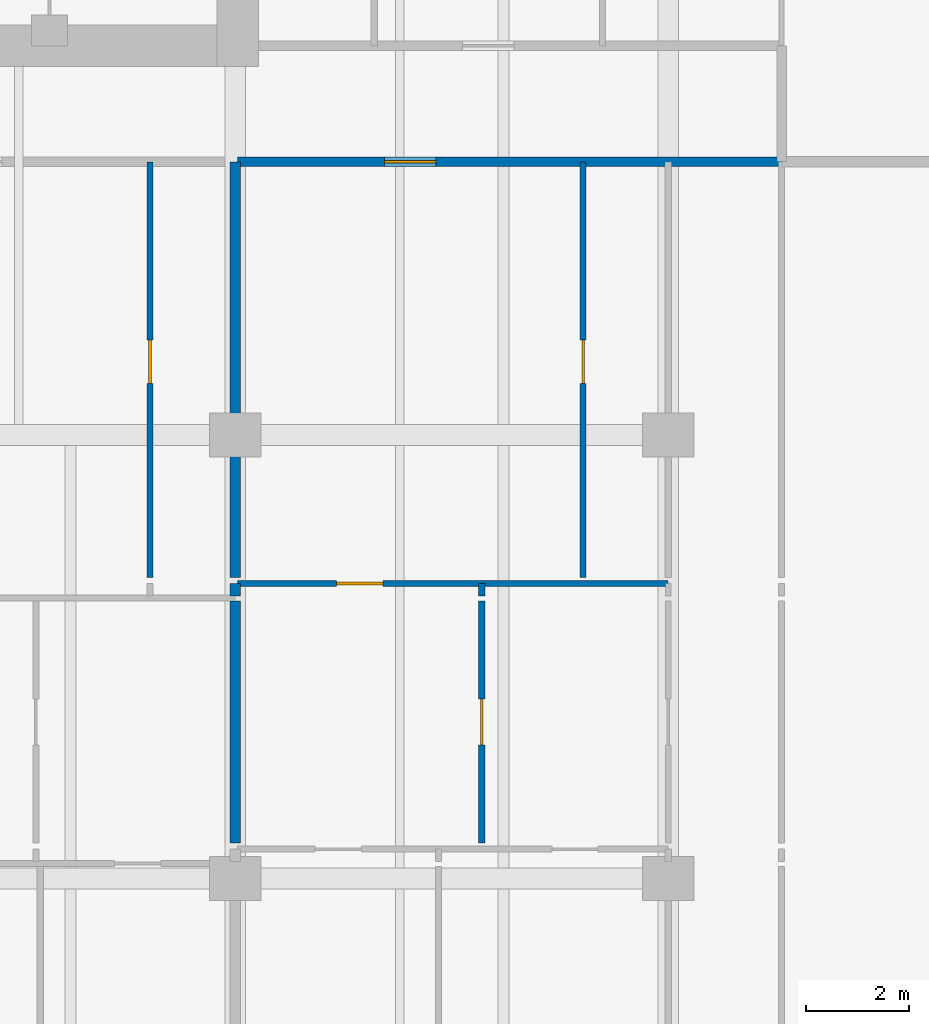
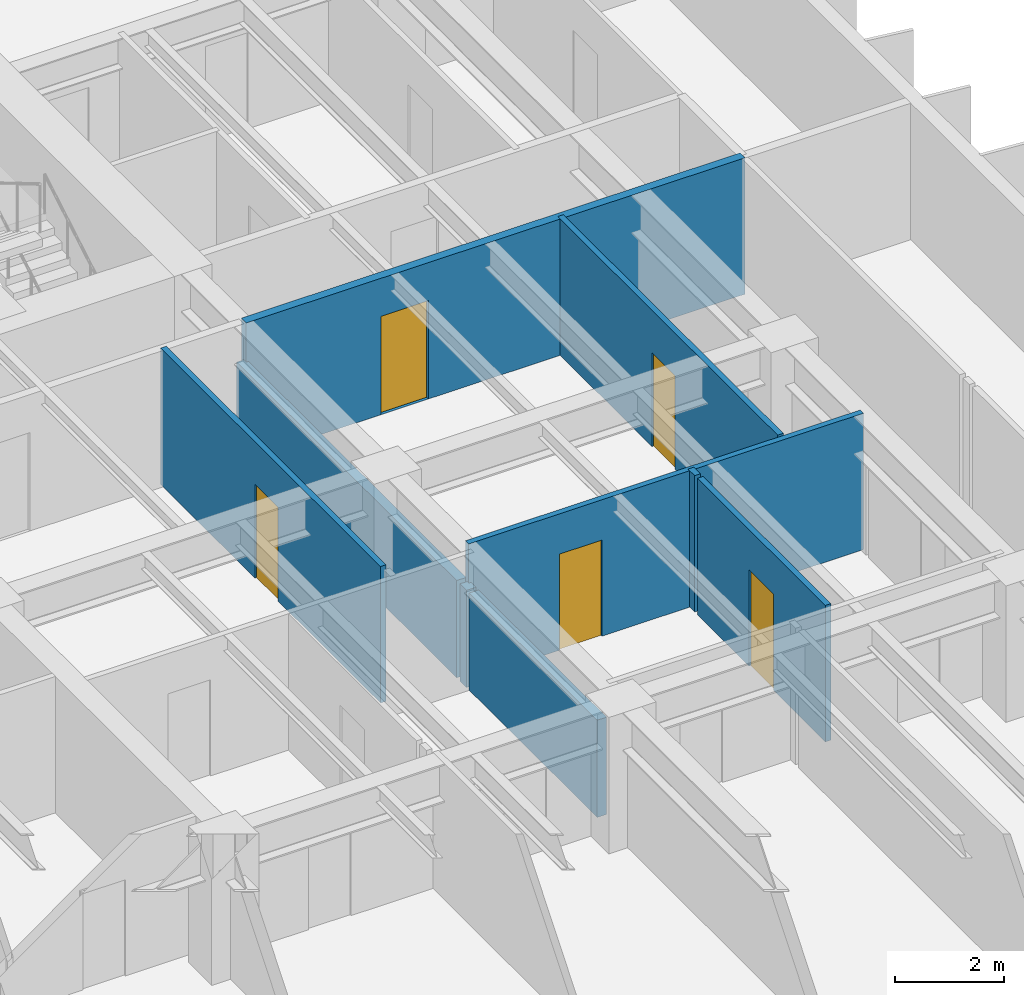
# One storey, part 10 of 18: 9 walls, 5 doors, 5 openings.
"""IFC4 building model written with IfcOpenShell, lengths in metres."""

from ifc_helpers import new_model, si_unit, direction, frame, frame_2d, origin, place, context, subcontext, project, spatial, rectangle, extrude, material, layer, layer_set, type_object, element, fill, save


model = new_model("IFC4")

# Units and contexts
model_context = context("Model", 3, precision=1e-05, world=origin(), true_north=direction((0.0, 1.0)))
body_context = subcontext(model_context, "Body", "Model", "MODEL_VIEW")
ifc_project = project(units=[si_unit("LENGTHUNIT", "METRE"), si_unit("AREAUNIT", "SQUARE_METRE"), si_unit("VOLUMEUNIT", "CUBIC_METRE"), si_unit("PLANEANGLEUNIT", "RADIAN"), si_unit("MASSUNIT", "GRAM", prefix="KILO")], contexts=[model_context])

# Site, building, storey
site_placement = place(None, origin())
site = spatial("IfcSite", under=ifc_project, at=site_placement, CompositionType="ELEMENT")
building_placement = place(site_placement, origin())
building = spatial("IfcBuilding", under=site, at=building_placement, Name="Caelmar Bay Residences", CompositionType="ELEMENT")
storey_placement = place(building_placement, frame((0.0, 0.0, 129.0)))
storey = spatial("IfcBuildingStorey", under=building, at=storey_placement, Name="L35", CompositionType="ELEMENT", Elevation=129.0)

# Wall, opening, door
ifc_material_1 = material(Name="Double-stud acoustic fire-rated gypsum partition 180 mm")
ifc_layer_1 = layer(ifc_material_1, 0.179931640625)
ifc_layer_set_1 = layer_set([ifc_layer_1], Name="Double-stud acoustic fire-rated gypsum partition 180 mm")
wall_type_1 = type_object("IfcWallType", Name="W-COR-200", PredefinedType="PARTITIONING", material=ifc_layer_set_1)
wall_1_placement = place(storey_placement, frame((59.550048828125, 34.699951171875, 0.0), z_axis=(0.0, 0.0, 1.0), x_axis=(1.0, 0.0, 0.0)))
wall_1 = element("IfcWall", 1, at=wall_1_placement, inside=storey, type_object=wall_type_1, Name="L35 Partition Wall H145", PredefinedType="PARTITIONING", context=body_context, shape_type="SweptSolid", body=[
    extrude(rectangle(XDim=10.550048828125, YDim=0.179931640625, at=frame_2d((5.27490234375, 0.0))), origin(), (0.0, 0.0, 1.0), 3.050048828125),
])
opening_1_placement = place(wall_1_placement, frame((2.85009765625, 0.0, 0.0)))
opening_1 = element("IfcOpeningElement", 2, at=opening_1_placement, cuts=wall_1, Name="Opening D-L35-165", PredefinedType="OPENING", context=body_context, shape_type="SweptSolid", body=[
    extrude(rectangle(XDim=1.0, YDim=2.199951171875, at=frame_2d((0.5, 1.10009765625))), frame((0.0, 0.099853515625, 0.0), z_axis=(0.0, -1.0, 0.0), x_axis=(1.0, 0.0, 0.0)), (0.0, 0.0, 1.0), 0.199951171875),
])
ifc_material_2 = material(Name="Fire-rated steel and walnut architectural door assembly", Category="steel")
ifc_layer_2 = layer(ifc_material_2, 0.050048828125)
ifc_layer_set_2 = layer_set([ifc_layer_2], Name="Fire-rated steel and walnut architectural door assembly")
door_type_1 = type_object("IfcDoorType", Name="D-UNIT-1000", OperationType="NOTDEFINED", PredefinedType="DOOR", material=ifc_layer_set_2)
door_1_placement = place(opening_1_placement, origin())
door_1 = element("IfcDoor", 3, at=door_1_placement, inside=storey, type_object=door_type_1, Name="L35 Residence 07 Apartment Hall Door", OperationType="SINGLE_SWING_RIGHT", OverallHeight=2.199951171875, OverallWidth=1.0, PredefinedType="DOOR", context=body_context, shape_type="SweptSolid", body=[
    extrude(rectangle(XDim=1.0, YDim=2.199951171875, at=frame_2d((0.5, 1.10009765625))), frame((0.0, 0.02490234375, 0.0), z_axis=(0.0, -1.0, 0.0), x_axis=(1.0, 0.0, 0.0)), (0.0, 0.0, 1.0), 0.050048828125),
])
fill(opening_1, door_1)

ifc_material_3 = material(Name="Acoustic metal-stud gypsum partition 120 mm")
ifc_layer_3 = layer(ifc_material_3, 0.1201171875)
ifc_layer_set_3 = layer_set([ifc_layer_3], Name="Acoustic metal-stud gypsum partition 120 mm")
wall_type_2 = type_object("IfcWallType", Name="W-PRT-120", PredefinedType="PARTITIONING", material=ifc_layer_set_3)
wall_2_placement = place(storey_placement, frame((57.85009765625, 26.639892578125, 0.0), z_axis=(0.0, 0.0, 1.0), x_axis=(0.0, 1.0, 0.0)))
wall_2 = element("IfcWall", 4, at=wall_2_placement, inside=storey, type_object=wall_type_2, Name="L35 Partition Wall V092", PredefinedType="PARTITIONING", context=body_context, shape_type="SweptSolid", body=[
    extrude(rectangle(XDim=8.06005859375, YDim=0.1201171875, at=frame_2d((4.030029296875, 0.0))), origin(), (0.0, 0.0, 1.0), 3.050048828125),
])
opening_2_placement = place(wall_2_placement, frame((3.7548828125, 0.0, 0.0)))
opening_2 = element("IfcOpeningElement", 5, at=opening_2_placement, cuts=wall_2, Name="Opening D-L35-159", PredefinedType="OPENING", context=body_context, shape_type="SweptSolid", body=[
    extrude(rectangle(XDim=0.85009765625, YDim=2.10009765625, at=frame_2d((0.425048828125, 1.050048828125))), frame((0.0, 0.070068359375, 0.0), z_axis=(0.0, -1.0, 0.0), x_axis=(1.0, 0.0, 0.0)), (0.0, 0.0, 1.0), 0.14013671875),
])
ifc_material_4 = material(Name="Solid walnut timber interior door leaf and frame", Category="wood")
ifc_layer_4 = layer(ifc_material_4, 0.050048828125)
ifc_layer_set_4 = layer_set([ifc_layer_4], Name="Solid walnut timber interior door leaf and frame")
door_type_2 = type_object("IfcDoorType", Name="D-BATH-850", OperationType="NOTDEFINED", PredefinedType="DOOR", material=ifc_layer_set_4)
door_2_placement = place(opening_2_placement, origin())
door_2 = element("IfcDoor", 6, at=door_2_placement, inside=storey, type_object=door_type_2, Name="L35 Residence 06 Bathroom Door", OperationType="SINGLE_SWING_RIGHT", OverallHeight=2.10009765625, OverallWidth=0.85009765625, PredefinedType="DOOR", context=body_context, shape_type="SweptSolid", body=[
    extrude(rectangle(XDim=0.85009765625, YDim=2.10009765625, at=frame_2d((0.425048828125, 1.050048828125))), frame((0.0, 0.02490234375, 0.0), z_axis=(0.0, -1.0, 0.0), x_axis=(1.0, 0.0, 0.0)), (0.0, 0.0, 1.0), 0.050048828125),
])
fill(opening_2, door_2)

wall_3_placement = place(storey_placement, frame((64.285888671875, 21.489990234375, 0.0), z_axis=(0.0, 0.0, 1.0), x_axis=(0.0, 1.0, 0.0)))
wall_3 = element("IfcWall", 7, at=wall_3_placement, inside=storey, type_object=wall_type_2, Name="L35 Partition Wall V103", PredefinedType="PARTITIONING", context=body_context, shape_type="SweptSolid", body=[
    extrude(rectangle(XDim=4.68994140625, YDim=0.1201171875, at=frame_2d((2.344970703125, 0.0))), origin(), (0.0, 0.0, 1.0), 3.050048828125),
])
opening_3_placement = place(wall_3_placement, frame((1.89501953125, 0.0, 0.0)))
opening_3 = element("IfcOpeningElement", 8, at=opening_3_placement, cuts=wall_3, Name="Opening D-L35-168", PredefinedType="OPENING", context=body_context, shape_type="SweptSolid", body=[
    extrude(rectangle(XDim=0.89990234375, YDim=2.14990234375, at=frame_2d((0.449951171875, 1.074951171875))), frame((0.0, 0.070068359375, 0.0), z_axis=(0.0, -1.0, 0.0), x_axis=(1.0, 0.0, 0.0)), (0.0, 0.0, 1.0), 0.14013671875),
])
ifc_layer_5 = layer(ifc_material_4, 0.050048828125)
ifc_layer_set_5 = layer_set([ifc_layer_5], Name="Solid walnut timber interior door leaf and frame")
door_type_3 = type_object("IfcDoorType", Name="D-ROOM-900", OperationType="NOTDEFINED", PredefinedType="DOOR", material=ifc_layer_set_5)
door_3_placement = place(opening_3_placement, origin())
door_3 = element("IfcDoor", 9, at=door_3_placement, inside=storey, type_object=door_type_3, Name="L35 Residence 07 Study Door", OperationType="SINGLE_SWING_LEFT", OverallHeight=2.14990234375, OverallWidth=0.89990234375, PredefinedType="DOOR", context=body_context, shape_type="SweptSolid", body=[
    extrude(rectangle(XDim=0.89990234375, YDim=2.14990234375, at=frame_2d((0.449951171875, 1.074951171875))), frame((0.0, 0.02490234375, 0.0), z_axis=(0.0, -1.0, 0.0), x_axis=(1.0, 0.0, 0.0)), (0.0, 0.0, 1.0), 0.050048828125),
])
fill(opening_3, door_3)

# Wall
wall_4_placement = place(storey_placement, frame((64.285888671875, 26.280029296875, 0.0), z_axis=(0.0, 0.0, 1.0), x_axis=(0.0, 1.0, 0.0)))
element("IfcWall", 10, at=wall_4_placement, inside=storey, type_object=wall_type_2, Name="L35 Partition Wall V104", PredefinedType="PARTITIONING", context=body_context, shape_type="SweptSolid", body=[
    extrude(rectangle(XDim=0.239990234375, YDim=0.1201171875, at=frame_2d((0.1201171875, 0.0))), origin(), (0.0, 0.0, 1.0), 3.050048828125),
])

# Wall, opening, door
wall_5_placement = place(storey_placement, frame((66.25, 26.639892578125, 0.0), z_axis=(0.0, 0.0, 1.0), x_axis=(0.0, 1.0, 0.0)))
wall_5 = element("IfcWall", 11, at=wall_5_placement, inside=storey, type_object=wall_type_2, Name="L35 Partition Wall V105", PredefinedType="PARTITIONING", context=body_context, shape_type="SweptSolid", body=[
    extrude(rectangle(XDim=8.06005859375, YDim=0.1201171875, at=frame_2d((4.030029296875, 0.0))), origin(), (0.0, 0.0, 1.0), 3.050048828125),
])
opening_4_placement = place(wall_5_placement, frame((3.7548828125, 0.0, 0.0)))
opening_4 = element("IfcOpeningElement", 12, at=opening_4_placement, cuts=wall_5, Name="Opening D-L35-166", PredefinedType="OPENING", context=body_context, shape_type="SweptSolid", body=[
    extrude(rectangle(XDim=0.85009765625, YDim=2.10009765625, at=frame_2d((0.425048828125, 1.050048828125))), frame((0.0, 0.070068359375, 0.0), z_axis=(0.0, -1.0, 0.0), x_axis=(1.0, 0.0, 0.0)), (0.0, 0.0, 1.0), 0.14013671875),
])
door_4_placement = place(opening_4_placement, origin())
door_4 = element("IfcDoor", 13, at=door_4_placement, inside=storey, type_object=door_type_2, Name="L35 Residence 07 Bathroom Door", OperationType="SINGLE_SWING_LEFT", OverallHeight=2.10009765625, OverallWidth=0.85009765625, PredefinedType="DOOR", context=body_context, shape_type="SweptSolid", body=[
    extrude(rectangle(XDim=0.85009765625, YDim=2.10009765625, at=frame_2d((0.425048828125, 1.050048828125))), frame((0.0, 0.02490234375, 0.0), z_axis=(0.0, -1.0, 0.0), x_axis=(1.0, 0.0, 0.0)), (0.0, 0.0, 1.0), 0.050048828125),
])
fill(opening_4, door_4)

wall_6_placement = place(storey_placement, frame((59.550048828125, 26.52001953125, 0.0), z_axis=(0.0, 0.0, 1.0), x_axis=(1.0, 0.0, 0.0)))
wall_6 = element("IfcWall", 14, at=wall_6_placement, inside=storey, type_object=wall_type_2, Name="L35 Partition Wall H138", PredefinedType="PARTITIONING", context=body_context, shape_type="SweptSolid", body=[
    extrude(rectangle(XDim=8.349853515625, YDim=0.1201171875, at=frame_2d((4.1748046875, 0.0))), origin(), (0.0, 0.0, 1.0), 3.050048828125),
])
opening_5_placement = place(wall_6_placement, frame((1.91796875, 0.0, 0.0)))
opening_5 = element("IfcOpeningElement", 15, at=opening_5_placement, cuts=wall_6, Name="Opening D-L35-167", PredefinedType="OPENING", context=body_context, shape_type="SweptSolid", body=[
    extrude(rectangle(XDim=0.89990234375, YDim=2.14990234375, at=frame_2d((0.449951171875, 1.074951171875))), frame((0.0, 0.070068359375, 0.0), z_axis=(0.0, -1.0, 0.0), x_axis=(1.0, 0.0, 0.0)), (0.0, 0.0, 1.0), 0.14013671875),
])
door_5_placement = place(opening_5_placement, origin())
door_5 = element("IfcDoor", 16, at=door_5_placement, inside=storey, type_object=door_type_3, Name="L35 Residence 07 Kitchen Door", OperationType="SINGLE_SWING_RIGHT", OverallHeight=2.14990234375, OverallWidth=0.89990234375, PredefinedType="DOOR", context=body_context, shape_type="SweptSolid", body=[
    extrude(rectangle(XDim=0.89990234375, YDim=2.14990234375, at=frame_2d((0.449951171875, 1.074951171875))), frame((0.0, 0.02490234375, 0.0), z_axis=(0.0, -1.0, 0.0), x_axis=(1.0, 0.0, 0.0)), (0.0, 0.0, 1.0), 0.050048828125),
])
fill(opening_5, door_5)

# Walls
ifc_material_5 = material(Name="Acoustic twin-stud fire-rated inter-tenancy partition 200 mm")
ifc_layer_6 = layer(ifc_material_5, 0.199951171875)
ifc_layer_set_6 = layer_set([ifc_layer_6], Name="Acoustic twin-stud fire-rated inter-tenancy partition 200 mm")
wall_type_3 = type_object("IfcWallType", Name="W-PTY-200", PredefinedType="PARTITIONING", material=ifc_layer_set_6)
wall_7_placement = place(storey_placement, frame((59.5, 21.489990234375, 0.0), z_axis=(0.0, 0.0, 1.0), x_axis=(0.0, 1.0, 0.0)))
element("IfcWall", 17, at=wall_7_placement, inside=storey, type_object=wall_type_3, Name="L35 Partition Wall V096", PredefinedType="PARTITIONING", context=body_context, shape_type="SweptSolid", body=[
    extrude(rectangle(XDim=4.68994140625, YDim=0.199951171875, at=frame_2d((2.344970703125, 0.0))), origin(), (0.0, 0.0, 1.0), 2.174072265625),
])
wall_8_placement = place(storey_placement, frame((59.5, 26.280029296875, 0.0), z_axis=(0.0, 0.0, 1.0), x_axis=(0.0, 1.0, 0.0)))
element("IfcWall", 18, at=wall_8_placement, inside=storey, type_object=wall_type_3, Name="L35 Partition Wall V097", PredefinedType="PARTITIONING", context=body_context, shape_type="SweptSolid", body=[
    extrude(rectangle(XDim=0.239990234375, YDim=0.199951171875, at=frame_2d((0.1201171875, 0.0))), origin(), (0.0, 0.0, 1.0), 2.174072265625),
])
wall_9_placement = place(storey_placement, frame((59.5, 26.639892578125, 0.0), z_axis=(0.0, 0.0, 1.0), x_axis=(0.0, 1.0, 0.0)))
element("IfcWall", 19, at=wall_9_placement, inside=storey, type_object=wall_type_3, Name="L35 Partition Wall V098", PredefinedType="PARTITIONING", context=body_context, shape_type="SweptSolid", body=[
    extrude(rectangle(XDim=8.06005859375, YDim=0.199951171875, at=frame_2d((4.030029296875, 0.0))), origin(), (0.0, 0.0, 1.0), 2.174072265625),
])

save(model, "model.ifc")
